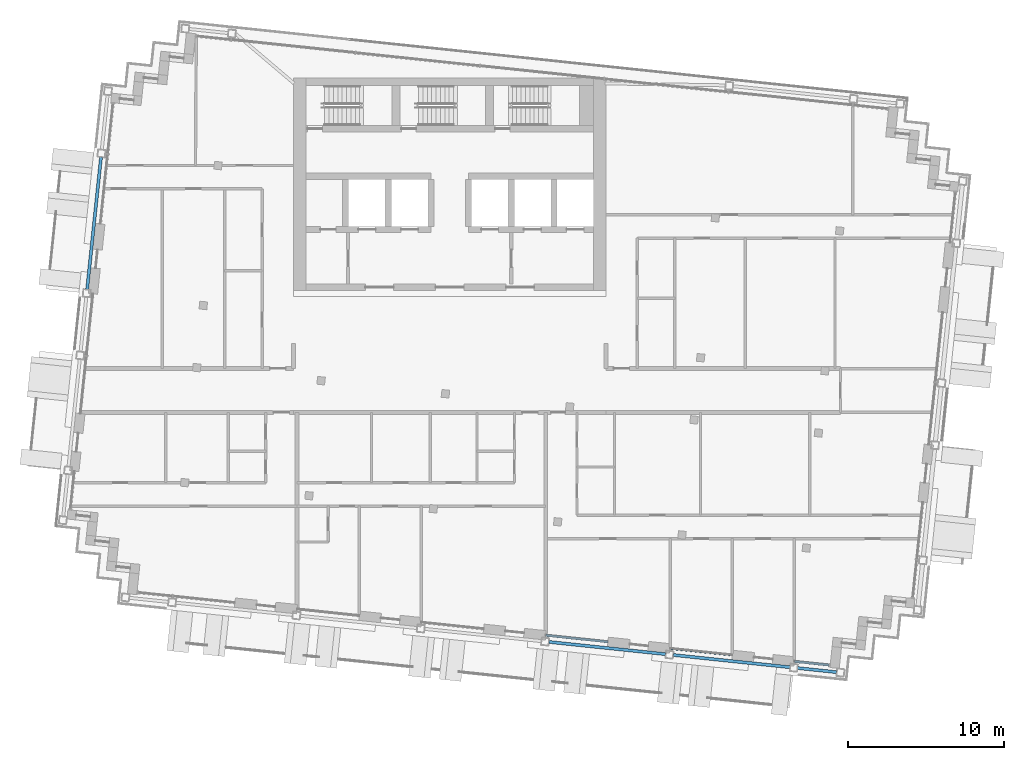
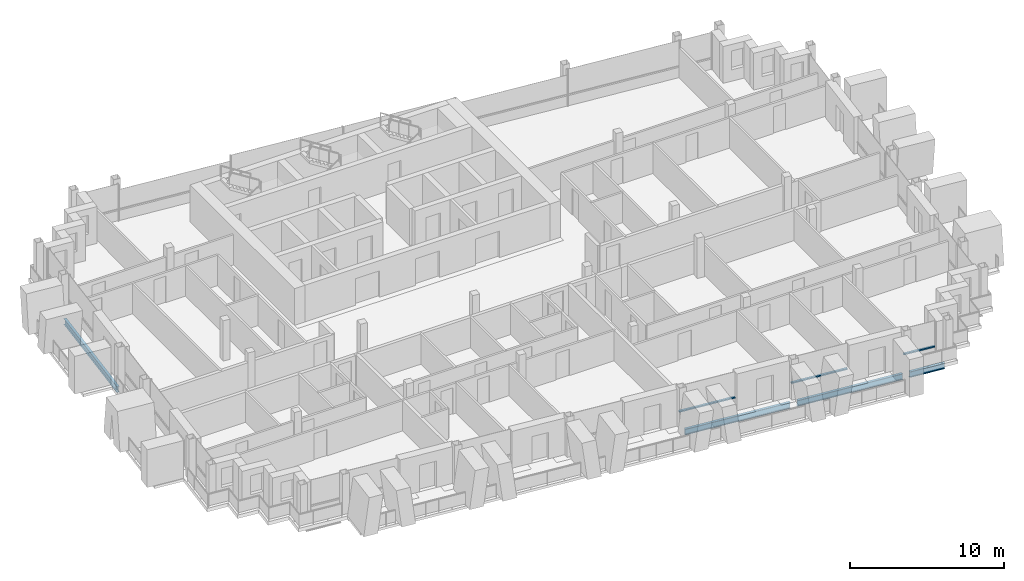
# One storey, part 3 of 16: 4 beams, 3 members, 3 elements without a shape of their own.
"""IFC4 building model written with IfcOpenShell, lengths in metres."""

from ifc_helpers import new_model, si_unit, direction, frame, origin, origin_2d, place, context, subcontext, project, spatial, rectangle, i_section, extrude, material, material_profile, profile_set, type_object, element, aggregate, save


model = new_model("IFC4")

# Units and contexts
model_context = context("Model", 3, precision=1e-05, world=origin(), true_north=direction((0.0, 1.0)))
body_context = subcontext(model_context, "Body", "Model", "MODEL_VIEW")
ifc_project = project(units=[si_unit("LENGTHUNIT", "METRE"), si_unit("AREAUNIT", "SQUARE_METRE"), si_unit("VOLUMEUNIT", "CUBIC_METRE"), si_unit("PLANEANGLEUNIT", "RADIAN"), si_unit("MASSUNIT", "GRAM", prefix="KILO")], contexts=[model_context])

# Site, building, storey
site_placement = place(None, origin())
site = spatial("IfcSite", under=ifc_project, at=site_placement, CompositionType="ELEMENT")
building_placement = place(site_placement, origin())
building = spatial("IfcBuilding", under=site, at=building_placement, Name="Vidyagriha Tower", CompositionType="ELEMENT")
storey_placement = place(building_placement, frame((0.0, 0.0, 275.5)))
storey = spatial("IfcBuildingStorey", under=building, at=storey_placement, Name="L72", CompositionType="ELEMENT", Elevation=275.5)

# Beams
ifc_material_1 = material(Name="Steel ASTM A992 Grade 50", Category="steel")
ifc_material_profile_1 = material_profile(ifc_material_1, i_section(OverallWidth=0.19189453125, OverallDepth=0.46240234375, WebThickness=0.010498046875, FlangeThickness=0.017578125, at=origin_2d()), Name="W18X60")
ifc_profile_set_1 = profile_set([ifc_material_profile_1], Name="Steel ASTM A992 Grade 50")
beam_type = type_object("IfcBeamType", Name="Edge beam W18X60", PredefinedType="SPANDREL", material=ifc_profile_set_1)
for number, where, z_axis, x_axis, name in (
    (1, (6.3486328125, -16.091064453125, -0.51123046875), (0.994522384662, -0.104523807841, 0.0), (0.104523807841, 0.994522384662, 0.0), "st-beam-L72-S05"),
    (2, (14.304931640625, -16.92724609375, -0.51123046875), (0.994522384662, -0.104523807841, 0.0), (0.104523807841, 0.994522384662, 0.0), "st-beam-L72-S06"),
):
    element("IfcBeam", number, at=place(storey_placement, frame(where, z_axis=z_axis, x_axis=x_axis)), inside=storey, type_object=beam_type, Name=name, PredefinedType="SPANDREL", context=body_context, shape_type="SweptSolid", body=[
        extrude(i_section(OverallWidth=0.19189453125, OverallDepth=0.46240234375, WebThickness=0.010498046875, FlangeThickness=0.017578125, at=origin_2d()), origin(), (0.0, 0.0, 1.0), 7.5),
    ])
beam_1_placement = place(storey_placement, frame((22.260986328125, -17.763427734375, -0.51123046875), z_axis=(0.994515615024, -0.104588199498, 0.0), x_axis=(0.104588199498, 0.994515615024, 0.0)))
element("IfcBeam", 3, at=beam_1_placement, inside=storey, type_object=beam_type, Name="st-beam-L72-S07", PredefinedType="SPANDREL", context=body_context, shape_type="SweptSolid", body=[
    extrude(i_section(OverallWidth=0.19189453125, OverallDepth=0.46240234375, WebThickness=0.010498046875, FlangeThickness=0.017578125, at=origin_2d()), origin(), (0.0, 0.0, 1.0), 2.5),
])
beam_2_placement = place(storey_placement, frame((-23.20458984375, 6.4716796875, -0.51123046875), z_axis=(0.104518825829, 0.994522908257, 0.0), x_axis=(-0.994522908257, 0.104518825829, 0.0)))
element("IfcBeam", 4, at=beam_2_placement, inside=storey, type_object=beam_type, Name="st-beam-L72-W11", PredefinedType="SPANDREL", context=body_context, shape_type="SweptSolid", body=[
    extrude(i_section(OverallWidth=0.19189453125, OverallDepth=0.46240234375, WebThickness=0.010498046875, FlangeThickness=0.017578125, at=origin_2d()), origin(), (0.0, 0.0, 1.0), 8.500244140625),
])

# Curtain wall, member
ifc_material_2 = material(Name="Aluminium and glass curtain wall", Category="aluminium")
curtain_wall_type = type_object("IfcCurtainWallType", Name="Dwelling skin unitised curtain wall", PredefinedType="USERDEFINED", material=ifc_material_2)
curtain_wall_1_placement = place(storey_placement, origin())
curtain_wall_1 = element("IfcCurtainWall", 5, at=curtain_wall_1_placement, inside=storey, type_object=curtain_wall_type, Name="CW1 dwelling skin", ObjectType="UNITISED", PredefinedType="USERDEFINED")
ifc_material_3 = material(Name="Aluminium black anodised", Category="aluminium")
ifc_material_profile_2 = material_profile(ifc_material_3, rectangle(XDim=0.159912109375, YDim=0.10009765625, at=origin_2d()), Name="Transom 100x160 black aluminium")
ifc_profile_set_2 = profile_set([ifc_material_profile_2], Name="Aluminium black anodised")
member_type = type_object("IfcMemberType", Name="Transom 100x160 black aluminium", PredefinedType="USERDEFINED", material=ifc_profile_set_2)
member_1_placement = place(storey_placement, frame((6.141845703125, -15.6669921875, 0.89990234375), z_axis=(0.99451982373, -0.104548171712, 0.0), x_axis=(0.104548171712, 0.99451982373, 0.0)))
member_1 = element("IfcMember", 6, at=member_1_placement, type_object=member_type, Name="CW1 transom 1.1", ObjectType="TRANSOM", PredefinedType="USERDEFINED", context=body_context, shape_type="SweptSolid", body=[
    extrude(rectangle(XDim=0.159912109375, YDim=0.10009765625, at=origin_2d()), origin(), (0.0, 0.0, 1.0), 4.000244140625),
])
aggregate(curtain_wall_1, [member_1])

curtain_wall_2_placement = place(storey_placement, origin())
curtain_wall_2 = element("IfcCurtainWall", 7, at=curtain_wall_2_placement, inside=storey, type_object=curtain_wall_type, Name="CW1 dwelling skin", ObjectType="UNITISED", PredefinedType="USERDEFINED")
member_2_placement = place(storey_placement, frame((14.09814453125, -16.50341796875, 0.89990234375), z_axis=(0.99452550138, -0.104494148666, 0.0), x_axis=(0.104494148666, 0.99452550138, 0.0)))
member_2 = element("IfcMember", 8, at=member_2_placement, type_object=member_type, Name="CW1 transom 1.1", ObjectType="TRANSOM", PredefinedType="USERDEFINED", context=body_context, shape_type="SweptSolid", body=[
    extrude(rectangle(XDim=0.159912109375, YDim=0.10009765625, at=origin_2d()), origin(), (0.0, 0.0, 1.0), 4.0),
])
aggregate(curtain_wall_2, [member_2])

curtain_wall_3_placement = place(storey_placement, origin())
curtain_wall_3 = element("IfcCurtainWall", 9, at=curtain_wall_3_placement, inside=storey, type_object=curtain_wall_type, Name="CW1 dwelling skin", ObjectType="UNITISED", PredefinedType="USERDEFINED")
member_3_placement = place(storey_placement, frame((22.05419921875, -17.339599609375, 0.89990234375), z_axis=(0.994530619876, -0.10444542177, 0.0), x_axis=(0.10444542177, 0.994530619876, 0.0)))
member_3 = element("IfcMember", 10, at=member_3_placement, type_object=member_type, Name="CW1 transom 1.1", ObjectType="TRANSOM", PredefinedType="USERDEFINED", context=body_context, shape_type="SweptSolid", body=[
    extrude(rectangle(XDim=0.159912109375, YDim=0.10009765625, at=origin_2d()), origin(), (0.0, 0.0, 1.0), 2.22998046875),
])
aggregate(curtain_wall_3, [member_3])

save(model, "model.ifc")
